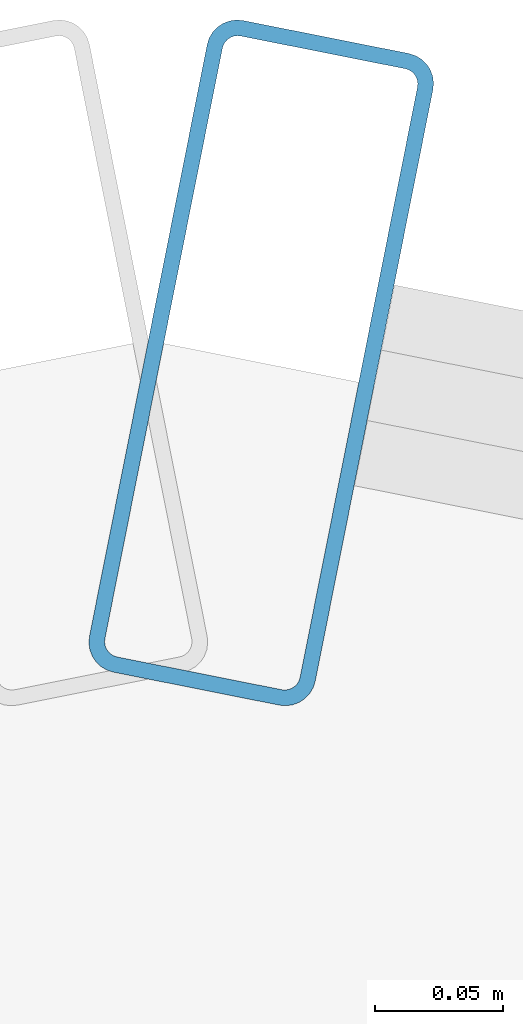
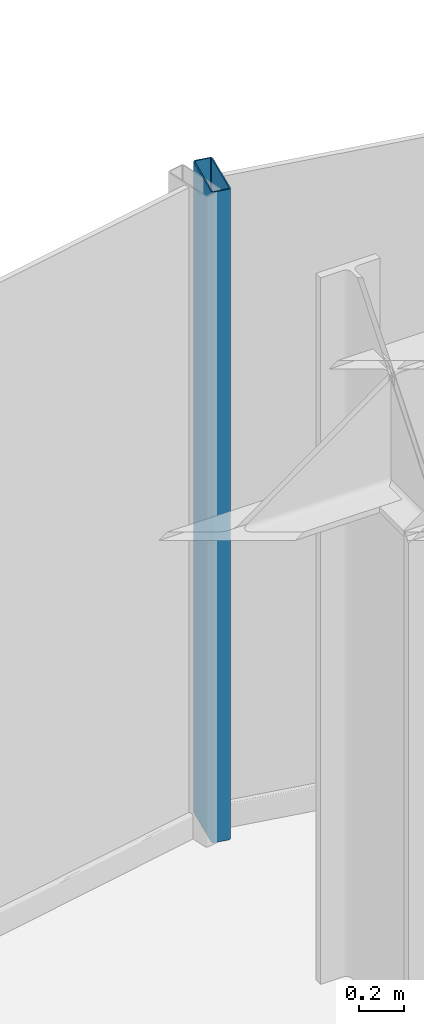
# One storey, part 15 of 23: 1 member, 1 element without a shape of its own.
"""IFC4 building model written with IfcOpenShell, lengths in metres."""

import ifcopenshell
import ifcopenshell.guid

model = None  # the IFC model being written
_history = None  # IfcOwnerHistory: only IFC2X3 demands one
_inside = {}  # id of a spatial element -> (the spatial element, [elements in it])
_under = {}  # id of a project, library or spatial element -> (it, [spatial elements below it])
_declared = {}  # id of a project -> (the project, [libraries it declares])
_typed = {}  # id of a type object -> (the type object, [elements of that type])
_made_of = {}  # id of a material, layer set ... -> (it, [elements and type objects made of it])


def new_model(schema):
    """Start an empty IFC model of exactly this schema.

    Asked for "IFC4X3", IfcOpenShell would pick the latest addendum, in which some entities
    have other attributes; the version numbers below select the first issue.
    IFC2X3 requires an IfcOwnerHistory on every rooted entity: one is made here for all.
    """
    global model, _history
    if schema == "IFC4X3":
        model = ifcopenshell.file(schema_version=(4, 3, 0, 0))
    else:
        model = ifcopenshell.file(schema=schema)
    _inside.clear()
    _under.clear()
    _declared.clear()
    _typed.clear()
    _made_of.clear()
    _history = None
    if model.schema == "IFC2X3":
        org = make("IfcOrganization", Name="unknown")
        user = make(
            "IfcPersonAndOrganization",
            ThePerson=make("IfcPerson", FamilyName="unknown"),
            TheOrganization=org,
        )
        app = make(
            "IfcApplication",
            ApplicationDeveloper=org,
            Version="unknown",
            ApplicationFullName="unknown",
            ApplicationIdentifier="unknown",
        )
        _history = make(
            "IfcOwnerHistory",
            OwningUser=user,
            OwningApplication=app,
            ChangeAction="ADDED",
            CreationDate=0,
        )
    return model


def make(cls, **values):
    """One entity of the class cls with the attributes given. An attribute that is None is left unset."""
    return model.create_entity(
        cls, **{name: value for name, value in values.items() if value is not None}
    )


def rooted(cls, **values):
    """An entity with a GlobalId (a new one), such as an element, a storey or a relation."""
    return make(cls, GlobalId=ifcopenshell.guid.new(), OwnerHistory=_history, **values)


def si_unit(unit_type, name, prefix=None):
    """IfcSIUnit, for example si_unit("LENGTHUNIT", "METRE", prefix="MILLI")."""
    return make("IfcSIUnit", UnitType=unit_type, Prefix=prefix, Name=name)


def assignment(units):
    """IfcUnitAssignment: the units of a project."""
    return None if units is None else make("IfcUnitAssignment", Units=units)


def point(xyz):
    """IfcCartesianPoint."""
    return None if xyz is None else make("IfcCartesianPoint", Coordinates=xyz)


def direction(xyz):
    """IfcDirection."""
    return None if xyz is None else make("IfcDirection", DirectionRatios=xyz)


def frame(location, z_axis=None, x_axis=None):
    """IfcAxis2Placement3D, a coordinate frame: its origin and axes. An axis left out is left unset."""
    return make(
        "IfcAxis2Placement3D",
        Location=point(location),
        Axis=direction(z_axis),
        RefDirection=direction(x_axis),
    )


def frame_2d(location, x_axis=None):
    """IfcAxis2Placement2D, a coordinate frame in the plane: its origin and x axis."""
    return make(
        "IfcAxis2Placement2D", Location=point(location), RefDirection=direction(x_axis)
    )


def origin():
    """The frame at (0, 0, 0) with its axes left unset."""
    return frame((0.0, 0.0, 0.0))


def origin_2d():
    """The frame at (0, 0) in the plane with its x axis left unset."""
    return frame_2d((0.0, 0.0))


def place(relative_to, where):
    """IfcLocalPlacement: puts the frame where relative to a parent placement (None: the world)."""
    return make(
        "IfcLocalPlacement", PlacementRelTo=relative_to, RelativePlacement=where
    )


def context(
    kind, dimensions, precision=None, world=None, true_north=None, identifier=None
):
    """IfcGeometricRepresentationContext, for example the 3D "Model" context."""
    return make(
        "IfcGeometricRepresentationContext",
        ContextIdentifier=identifier,
        ContextType=kind,
        CoordinateSpaceDimension=dimensions,
        Precision=precision,
        WorldCoordinateSystem=world,
        TrueNorth=true_north,
    )


def subcontext(parent, identifier, kind, view, scale=None):
    """IfcGeometricRepresentationSubContext, for example "Body" below "Model"."""
    return make(
        "IfcGeometricRepresentationSubContext",
        ContextIdentifier=identifier,
        ContextType=kind,
        ParentContext=parent,
        TargetScale=scale,
        TargetView=view,
    )


def project(units=None, contexts=None):
    """IfcProject with its units and contexts."""
    return rooted(
        "IfcProject",
        Name="project",
        RepresentationContexts=contexts,
        UnitsInContext=assignment(units),
    )


def spatial(cls, under=None, at=None, **own):
    """A site, building, storey or space (cls), placed at a placement, below another one or the project."""
    s = rooted(cls, ObjectPlacement=at, **own)
    if under is not None:
        _under.setdefault(under.id(), (under, []))[1].append(s)
    return s


def profile(cls, at=None, kind="AREA", **sizes):
    """A parametric profile (cls). Its sizes go by their IFC names, for example OverallWidth=200.0."""
    return make(cls, ProfileType=kind, Position=at, **sizes)


def hollow_rectangle(**sizes):
    """IfcRectangleHollowProfileDef."""
    return profile("IfcRectangleHollowProfileDef", **sizes)


def extrude(swept, where, along, depth):
    """IfcExtrudedAreaSolid: the profile swept, set in the frame where, extruded along a direction by depth."""
    return make(
        "IfcExtrudedAreaSolid",
        SweptArea=swept,
        Position=where,
        ExtrudedDirection=direction(along),
        Depth=depth,
    )


def shape(context_of_items, identifier, shape_type, items):
    """IfcShapeRepresentation: the items that make up one representation, for example the "Body"."""
    return make(
        "IfcShapeRepresentation",
        ContextOfItems=context_of_items,
        RepresentationIdentifier=identifier,
        RepresentationType=shape_type,
        Items=items,
    )


def source(mapping_origin, context_of_items, identifier, shape_type, items):
    """IfcRepresentationMap: a shape defined once, which mapped items show again and again."""
    return make(
        "IfcRepresentationMap",
        MappingOrigin=mapping_origin,
        MappedRepresentation=shape(context_of_items, identifier, shape_type, items),
    )


def transform(
    local_origin,
    x_axis=None,
    y_axis=None,
    z_axis=None,
    scale=None,
    scale2=None,
    scale3=None,
    uniform=True,
):
    """IfcCartesianTransformationOperator3D, or its non-uniform kind. x_axis, y_axis, z_axis: its Axis1, 2, 3."""
    if uniform:
        return make(
            "IfcCartesianTransformationOperator3D",
            Axis1=direction(x_axis),
            Axis2=direction(y_axis),
            LocalOrigin=point(local_origin),
            Scale=scale,
            Axis3=direction(z_axis),
        )
    return make(
        "IfcCartesianTransformationOperator3DnonUniform",
        Axis1=direction(x_axis),
        Axis2=direction(y_axis),
        LocalOrigin=point(local_origin),
        Scale=scale,
        Axis3=direction(z_axis),
        Scale2=scale2,
        Scale3=scale3,
    )


def mapped(mapping_source, mapping_target):
    """IfcMappedItem: shows the shape of a source again, moved by a transform."""
    return make(
        "IfcMappedItem", MappingSource=mapping_source, MappingTarget=mapping_target
    )


def material(Name=None, Category=None):
    """IfcMaterial."""
    return make("IfcMaterial", Name=Name, Category=Category)


def layer(
    of_material, thickness, ventilated=None, Name=None, Category=None, Priority=None
):
    """IfcMaterialLayer: one layer of a wall or slab, of a material (None: an air gap)."""
    return make(
        "IfcMaterialLayer",
        Material=of_material,
        LayerThickness=thickness,
        IsVentilated=ventilated,
        Name=Name,
        Category=Category,
        Priority=Priority,
    )


def layer_set(layers, Name=None):
    """IfcMaterialLayerSet."""
    return make("IfcMaterialLayerSet", MaterialLayers=layers, LayerSetName=Name)


def material_profile(
    of_material, cross_section, Name=None, Category=None, Priority=None
):
    """IfcMaterialProfile: a cross section and its material."""
    return make(
        "IfcMaterialProfile",
        Name=Name,
        Material=of_material,
        Profile=cross_section,
        Priority=Priority,
        Category=Category,
    )


def profile_set(profiles, Name=None, composite=None):
    """IfcMaterialProfileSet."""
    return make(
        "IfcMaterialProfileSet",
        Name=Name,
        MaterialProfiles=profiles,
        CompositeProfile=composite,
    )


def made_of(thing, what):
    """Note that an element or type object is made of a material, layer set ...; save() writes the relation."""
    if what is not None:
        _made_of.setdefault(what.id(), (what, []))[1].append(thing)
    return thing


def type_object(cls, material=None, **own):
    """A type object (cls), such as IfcWallType, which elements share."""
    return made_of(rooted(cls, **own), material)


def element(
    cls,
    number,
    at=None,
    inside=None,
    cuts=None,
    type_object=None,
    material=None,
    context=None,
    identifier="Body",
    shape_type=None,
    held_by="IfcProductDefinitionShape",
    body=None,
    shapes=None,
    **own,
):
    """One element of the class cls, such as IfcWall. Its Tag is "e" and its number.

    at: its placement. inside: the storey or other place that contains it. cuts: it is an
    opening in that element (IfcRelVoidsElement). A single representation is given by context,
    identifier, shape_type and body (its items); several are given by shapes. held_by: the class
    of the entity that holds the representations. save() writes the other relations.
    """
    e = rooted(cls, Tag="e%d" % number, ObjectPlacement=at, **own)
    if body is not None:
        shapes = [shape(context, identifier, shape_type, body)]
    if shapes is not None:
        e.Representation = make(held_by, Representations=shapes)
    if inside is not None:
        _inside.setdefault(inside.id(), (inside, []))[1].append(e)
    if cuts is not None:
        rooted(
            "IfcRelVoidsElement", RelatingBuildingElement=cuts, RelatedOpeningElement=e
        )
    if type_object is not None:
        _typed.setdefault(type_object.id(), (type_object, []))[1].append(e)
    return made_of(e, material)


def aggregate(whole, parts):
    """IfcRelAggregates: a whole, such as a stair, and the parts it consists of."""
    return rooted("IfcRelAggregates", RelatingObject=whole, RelatedObjects=parts)


def save(model, path):
    """Write the relations noted so far, then the file.

    IfcRelAggregates (storeys below a building ...), IfcRelContainedInSpatialStructure (elements
    in a storey), IfcRelDefinesByType, IfcRelAssociatesMaterial and IfcRelDeclares: one each for
    every whole, place, type object, material and project.
    """
    for whole, parts in _under.values():
        aggregate(whole, parts)
    for where, things in _inside.values():
        rooted(
            "IfcRelContainedInSpatialStructure",
            RelatedElements=things,
            RelatingStructure=where,
        )
    for kind, things in _typed.values():
        rooted("IfcRelDefinesByType", RelatedObjects=things, RelatingType=kind)
    for what, things in _made_of.values():
        rooted("IfcRelAssociatesMaterial", RelatedObjects=things, RelatingMaterial=what)
    for by, libraries in _declared.values():
        rooted("IfcRelDeclares", RelatingContext=by, RelatedDefinitions=libraries)
    model.write(path)


model = new_model("IFC4")

# Units and contexts
model_context = context("Model", 3, precision=1e-05, world=origin(), true_north=direction((0.0, 1.0)))
body_context = subcontext(model_context, "Body", "Model", "MODEL_VIEW")
ifc_project = project(units=[si_unit("LENGTHUNIT", "METRE"), si_unit("AREAUNIT", "SQUARE_METRE"), si_unit("VOLUMEUNIT", "CUBIC_METRE"), si_unit("PLANEANGLEUNIT", "RADIAN"), si_unit("MASSUNIT", "GRAM", prefix="KILO")], contexts=[model_context])

# Site, building, storey
site_placement = place(None, origin())
site = spatial("IfcSite", under=ifc_project, at=site_placement, CompositionType="ELEMENT")
building_placement = place(site_placement, origin())
building = spatial("IfcBuilding", under=site, at=building_placement, Name="Nefas-Gora Pilgrimage Tower", CompositionType="ELEMENT")
storey_placement = place(building_placement, frame((0.0, 0.0, 198.199951171875)))
storey = spatial("IfcBuildingStorey", under=building, at=storey_placement, Name="L49", CompositionType="ELEMENT", Elevation=198.199951171875)

# Curtain wall, member
ifc_material_1 = material(Name="Dark ceramic-fritted solar-control aluminium-glass curtain wall", Category="aluminium")
ifc_layer = layer(ifc_material_1, 0.219970703125)
ifc_layer_set = layer_set([ifc_layer], Name="Dark ceramic-fritted solar-control aluminium-glass curtain wall")
curtain_wall_type = type_object("IfcCurtainWallType", Name="CW-SYS-5", PredefinedType="NOTDEFINED", material=ifc_layer_set)
curtain_wall_placement = place(storey_placement, origin())
curtain_wall = element("IfcCurtainWall", 1, at=curtain_wall_placement, inside=storey, type_object=curtain_wall_type, Name="L49 Unitised Curtain Wall CW5", PredefinedType="NOTDEFINED")
ifc_material_2 = material(Name="Anodised architectural aluminium", Category="aluminium")
ifc_material_profile = material_profile(ifc_material_2, hollow_rectangle(XDim=0.090087890625, YDim=0.260009765625, WallThickness=0.006103515625, InnerFilletRadius=0.006103515625, OuterFilletRadius=0.011962890625, at=origin_2d()), Name="ALU MULLION 90x260")
ifc_profile_set = profile_set([ifc_material_profile], Name="Anodised architectural aluminium")
member_type = type_object("IfcMemberType", Name="CWM-MUL-5", PredefinedType="MULLION", material=ifc_profile_set)
shared_shape = source(origin(), body_context, "Body", "SweptSolid", [
    extrude(hollow_rectangle(XDim=0.090087890625, YDim=0.260009765625, WallThickness=0.006103515625, InnerFilletRadius=0.006103515625, OuterFilletRadius=0.011962890625, at=origin_2d()), origin(), (0.0, 0.0, 1.0), 3.5),
])
member_placement = place(storey_placement, frame((-2.205810546875, 24.16357421875, 0.0), z_axis=(0.0, 0.0, 1.0), x_axis=(-0.980782896852, 0.195102304554, 0.0)))
member = element("IfcMember", 2, at=member_placement, type_object=member_type, Name="CW5 Mullion 2", PredefinedType="MULLION", context=body_context, shape_type="MappedRepresentation", body=[
    mapped(shared_shape, transform((0.0, 0.0, 0.0), x_axis=(1.0, 0.0, 0.0), y_axis=(0.0, 1.0, 0.0), z_axis=(0.0, 0.0, 1.0), scale=1.0)),
])
aggregate(curtain_wall, [member])

save(model, "model.ifc")
